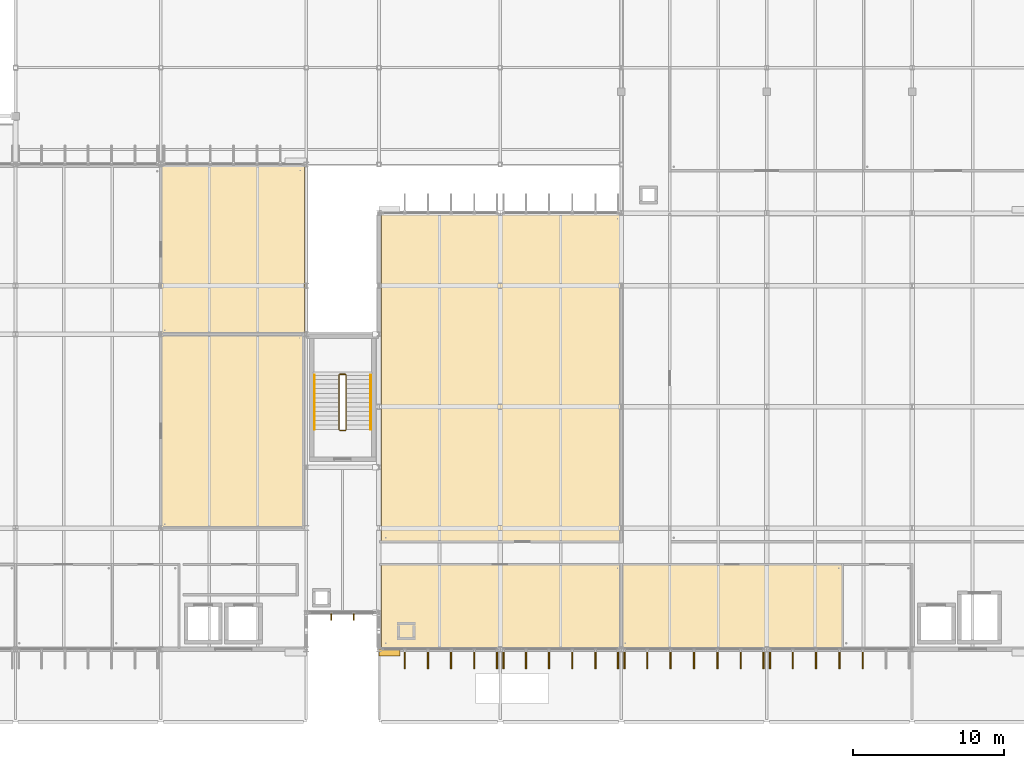
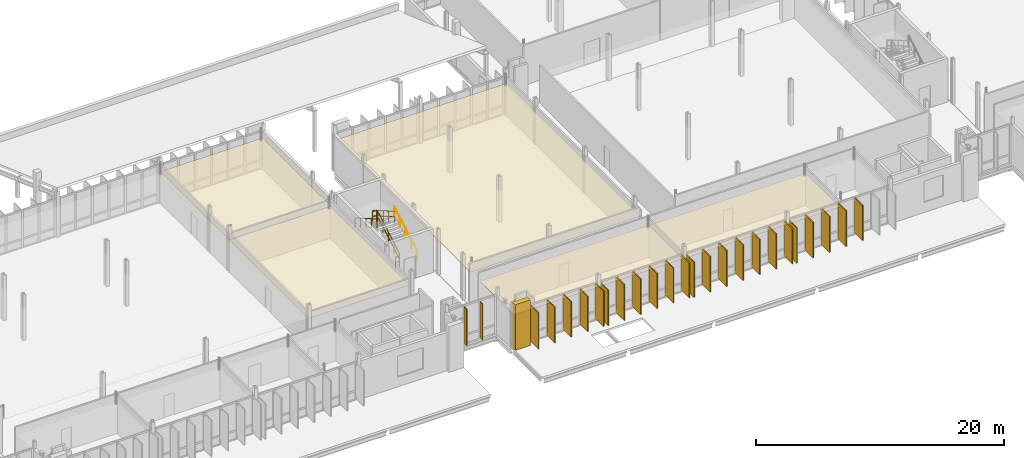
# One storey, part 102 of 107: 29 coverings, 6 railings, 2 shading devices.
"""IFC4 building model written with IfcOpenShell, lengths in metres."""

from ifc_helpers import new_model, si_unit, direction, frame, origin, origin_2d, place, context, subcontext, project, spatial, polyline, rectangle, circle, outline, extrude, material, layer, layer_set, type_object, element, save


model = new_model("IFC4")

# Units and contexts
model_context = context("Model", 3, precision=1e-05, world=origin(), true_north=direction((0.0, 1.0)))
body_context = subcontext(model_context, "Body", "Model", "MODEL_VIEW")
ifc_project = project(units=[si_unit("LENGTHUNIT", "METRE"), si_unit("AREAUNIT", "SQUARE_METRE"), si_unit("VOLUMEUNIT", "CUBIC_METRE"), si_unit("PLANEANGLEUNIT", "RADIAN"), si_unit("MASSUNIT", "GRAM", prefix="KILO")], contexts=[model_context])

# Site, building, storey
site_placement = place(None, origin())
site = spatial("IfcSite", under=ifc_project, at=site_placement, CompositionType="ELEMENT")
building_placement = place(site_placement, origin())
building = spatial("IfcBuilding", under=site, at=building_placement, Name="Dunescarp Central Library", CompositionType="ELEMENT")
storey_placement = place(building_placement, frame((0.0, 0.0, 5.10009765625)))
storey = spatial("IfcBuildingStorey", under=building, at=storey_placement, Name="L01", CompositionType="ELEMENT", Elevation=5.10009765625)

# Coverings
ifc_material_1 = material(Name="Mineral-fibre acoustic ceiling tile")
ifc_layer_1 = layer(ifc_material_1, 0.0400390625)
ifc_layer_set_1 = layer_set([ifc_layer_1], Name="Mineral-fibre acoustic ceiling tile")
covering_type_1 = type_object("IfcCoveringType", Name="ARC-COV-CEIL40", PredefinedType="CEILING", material=ifc_layer_set_1)
covering_1_placement = place(storey_placement, frame((0.0, 0.0, 3.0498046875)))
element("IfcCovering", 1, at=covering_1_placement, inside=storey, type_object=covering_type_1, Name="L01 ceiling L01 Digital Media Lending Desk", PredefinedType="CEILING", context=body_context, shape_type="SweptSolid", body=[
    extrude(outline(polyline([(67.179931640625, 12.780029296875), (76.6201171875, 12.780029296875), (76.6201171875, 25.6201171875), (67.179931640625, 25.6201171875), (67.179931640625, 12.780029296875)])), origin(), (0.0, 0.0, 1.0), 0.0400390625),
])
covering_2_placement = place(storey_placement, frame((0.0, 0.0, 3.0498046875)))
element("IfcCovering", 2, at=covering_2_placement, inside=storey, type_object=covering_type_1, Name="L01 ceiling L01 Book Sorting & Returns Store", PredefinedType="CEILING", context=body_context, shape_type="SweptSolid", body=[
    extrude(outline(polyline([(67.179931640625, 25.580078125), (76.679931640625, 25.580078125), (76.679931640625, 36.679931640625), (67.179931640625, 36.679931640625), (67.179931640625, 25.580078125)])), origin(), (0.0, 0.0, 1.0), 0.0400390625),
])
covering_3_placement = place(storey_placement, frame((0.0, 0.0, 3.0498046875)))
element("IfcCovering", 3, at=covering_3_placement, inside=storey, type_object=covering_type_1, Name="L01 ceiling L01 Seminar & Instruction Room", PredefinedType="CEILING", context=body_context, shape_type="SweptSolid", body=[
    extrude(outline(polyline([(81.780029296875, 4.919921875), (97.6201171875, 4.919921875), (97.6201171875, 10.419921875), (81.780029296875, 10.419921875), (81.780029296875, 4.919921875)])), origin(), (0.0, 0.0, 1.0), 0.0400390625),
])
covering_4_placement = place(storey_placement, frame((0.0, 0.0, 3.0498046875)))
element("IfcCovering", 4, at=covering_4_placement, inside=storey, type_object=covering_type_1, Name="L01 ceiling L01 Quiet Research Offices", PredefinedType="CEILING", context=body_context, shape_type="SweptSolid", body=[
    extrude(outline(polyline([(97.580078125, 4.919921875), (112.219970703125, 4.919921875), (112.219970703125, 10.419921875), (97.580078125, 10.419921875), (97.580078125, 4.919921875)])), origin(), (0.0, 0.0, 1.0), 0.0400390625),
])
covering_5_placement = place(storey_placement, frame((0.0, 0.0, 3.0498046875)))
element("IfcCovering", 5, at=covering_5_placement, inside=storey, type_object=covering_type_1, Name="L01 ceiling L01 High-Density Compact Book Stacks West", PredefinedType="CEILING", context=body_context, shape_type="SweptSolid", body=[
    extrude(outline(polyline([(81.780029296875, 11.8798828125), (97.6201171875, 11.8798828125), (97.6201171875, 33.47998046875), (81.780029296875, 33.47998046875), (81.780029296875, 11.8798828125)])), origin(), (0.0, 0.0, 1.0), 0.0400390625),
])
ifc_material_2 = material(Name="Glass-fibre reinforced concrete GRC", Category="concrete")
ifc_layer_2 = layer(ifc_material_2, 0.090087890625)
ifc_layer_set_2 = layer_set([ifc_layer_2], Name="Glass-fibre reinforced concrete GRC")
covering_type_2 = type_object("IfcCoveringType", Name="ARC-COV-FIN1250", PredefinedType="CLADDING", material=ifc_layer_set_2)
covering_6_placement = place(storey_placement, frame((89.385009765625, 4.137939453125, 0.1669921875), z_axis=(0.0, 0.0, 1.0), x_axis=(0.0, -1.0, 0.0)))
element("IfcCovering", 6, at=covering_6_placement, inside=storey, type_object=covering_type_2, Name="L01 parametric vertical facade fin FIN-L01-0580", PredefinedType="CLADDING", context=body_context, shape_type="SweptSolid", body=[
    extrude(rectangle(XDim=1.25, YDim=0.090087890625, at=origin_2d()), origin(), (0.0, 0.0, 1.0), 3.468017578125),
])
covering_7_placement = place(storey_placement, frame((87.89501953125, 4.137939453125, 0.180419921875), z_axis=(0.0, 0.0, 1.0), x_axis=(0.0, -1.0, 0.0)))
element("IfcCovering", 7, at=covering_7_placement, inside=storey, type_object=covering_type_2, Name="L01 parametric vertical facade fin FIN-L01-0581", PredefinedType="CLADDING", context=body_context, shape_type="SweptSolid", body=[
    extrude(rectangle(XDim=1.25, YDim=0.090087890625, at=origin_2d()), origin(), (0.0, 0.0, 1.0), 3.455078125),
])
covering_8_placement = place(storey_placement, frame((86.364990234375, 4.137939453125, 0.16357421875), z_axis=(0.0, 0.0, 1.0), x_axis=(0.0, -1.0, 0.0)))
element("IfcCovering", 8, at=covering_8_placement, inside=storey, type_object=covering_type_2, Name="L01 parametric vertical facade fin FIN-L01-0582", PredefinedType="CLADDING", context=body_context, shape_type="SweptSolid", body=[
    extrude(rectangle(XDim=1.25, YDim=0.090087890625, at=origin_2d()), origin(), (0.0, 0.0, 1.0), 3.470947265625),
])
covering_9_placement = place(storey_placement, frame((84.8349609375, 4.137939453125, 0.123046875), z_axis=(0.0, 0.0, 1.0), x_axis=(0.0, -1.0, 0.0)))
element("IfcCovering", 9, at=covering_9_placement, inside=storey, type_object=covering_type_2, Name="L01 parametric vertical facade fin FIN-L01-0583", PredefinedType="CLADDING", context=body_context, shape_type="SweptSolid", body=[
    extrude(rectangle(XDim=1.25, YDim=0.090087890625, at=origin_2d()), origin(), (0.0, 0.0, 1.0), 3.511962890625),
])
covering_10_placement = place(storey_placement, frame((83.304931640625, 4.137939453125, 0.079833984375), z_axis=(0.0, 0.0, 1.0), x_axis=(0.0, -1.0, 0.0)))
element("IfcCovering", 10, at=covering_10_placement, inside=storey, type_object=covering_type_2, Name="L01 parametric vertical facade fin FIN-L01-0584", PredefinedType="CLADDING", context=body_context, shape_type="SweptSolid", body=[
    extrude(rectangle(XDim=1.25, YDim=0.090087890625, at=origin_2d()), origin(), (0.0, 0.0, 1.0), 3.5439453125),
])
covering_11_placement = place(storey_placement, frame((97.385009765625, 4.137939453125, 0.1669921875), z_axis=(0.0, 0.0, 1.0), x_axis=(0.0, -1.0, 0.0)))
element("IfcCovering", 11, at=covering_11_placement, inside=storey, type_object=covering_type_2, Name="L01 parametric vertical facade fin FIN-L01-0585", PredefinedType="CLADDING", context=body_context, shape_type="SweptSolid", body=[
    extrude(rectangle(XDim=1.25, YDim=0.090087890625, at=origin_2d()), origin(), (0.0, 0.0, 1.0), 3.468017578125),
])
covering_12_placement = place(storey_placement, frame((95.89501953125, 4.137939453125, 0.180419921875), z_axis=(0.0, 0.0, 1.0), x_axis=(0.0, -1.0, 0.0)))
element("IfcCovering", 12, at=covering_12_placement, inside=storey, type_object=covering_type_2, Name="L01 parametric vertical facade fin FIN-L01-0586", PredefinedType="CLADDING", context=body_context, shape_type="SweptSolid", body=[
    extrude(rectangle(XDim=1.25, YDim=0.090087890625, at=origin_2d()), origin(), (0.0, 0.0, 1.0), 3.455078125),
])
covering_13_placement = place(storey_placement, frame((94.364990234375, 4.137939453125, 0.16357421875), z_axis=(0.0, 0.0, 1.0), x_axis=(0.0, -1.0, 0.0)))
element("IfcCovering", 13, at=covering_13_placement, inside=storey, type_object=covering_type_2, Name="L01 parametric vertical facade fin FIN-L01-0587", PredefinedType="CLADDING", context=body_context, shape_type="SweptSolid", body=[
    extrude(rectangle(XDim=1.25, YDim=0.090087890625, at=origin_2d()), origin(), (0.0, 0.0, 1.0), 3.470947265625),
])
covering_14_placement = place(storey_placement, frame((92.8349609375, 4.137939453125, 0.123046875), z_axis=(0.0, 0.0, 1.0), x_axis=(0.0, -1.0, 0.0)))
element("IfcCovering", 14, at=covering_14_placement, inside=storey, type_object=covering_type_2, Name="L01 parametric vertical facade fin FIN-L01-0588", PredefinedType="CLADDING", context=body_context, shape_type="SweptSolid", body=[
    extrude(rectangle(XDim=1.25, YDim=0.090087890625, at=origin_2d()), origin(), (0.0, 0.0, 1.0), 3.511962890625),
])
covering_15_placement = place(storey_placement, frame((91.304931640625, 4.137939453125, 0.079833984375), z_axis=(0.0, 0.0, 1.0), x_axis=(0.0, -1.0, 0.0)))
element("IfcCovering", 15, at=covering_15_placement, inside=storey, type_object=covering_type_2, Name="L01 parametric vertical facade fin FIN-L01-0589", PredefinedType="CLADDING", context=body_context, shape_type="SweptSolid", body=[
    extrude(rectangle(XDim=1.25, YDim=0.090087890625, at=origin_2d()), origin(), (0.0, 0.0, 1.0), 3.5439453125),
])
covering_16_placement = place(storey_placement, frame((89.81494140625, 4.137939453125, 0.080078125), z_axis=(0.0, 0.0, 1.0), x_axis=(0.0, -1.0, 0.0)))
element("IfcCovering", 16, at=covering_16_placement, inside=storey, type_object=covering_type_2, Name="L01 parametric vertical facade fin FIN-L01-0590", PredefinedType="CLADDING", context=body_context, shape_type="SweptSolid", body=[
    extrude(rectangle(XDim=1.25, YDim=0.090087890625, at=origin_2d()), origin(), (0.0, 0.0, 1.0), 3.493896484375),
])
covering_17_placement = place(storey_placement, frame((106.985107421875, 4.137939453125, 0.1669921875), z_axis=(0.0, 0.0, 1.0), x_axis=(0.0, -1.0, 0.0)))
element("IfcCovering", 17, at=covering_17_placement, inside=storey, type_object=covering_type_2, Name="L01 parametric vertical facade fin FIN-L01-0591", PredefinedType="CLADDING", context=body_context, shape_type="SweptSolid", body=[
    extrude(rectangle(XDim=1.25, YDim=0.090087890625, at=origin_2d()), origin(), (0.0, 0.0, 1.0), 3.468017578125),
])
covering_18_placement = place(storey_placement, frame((105.48291015625, 4.137939453125, 0.180419921875), z_axis=(0.0, 0.0, 1.0), x_axis=(0.0, -1.0, 0.0)))
element("IfcCovering", 18, at=covering_18_placement, inside=storey, type_object=covering_type_2, Name="L01 parametric vertical facade fin FIN-L01-0592", PredefinedType="CLADDING", context=body_context, shape_type="SweptSolid", body=[
    extrude(rectangle(XDim=1.25, YDim=0.090087890625, at=origin_2d()), origin(), (0.0, 0.0, 1.0), 3.455078125),
])
covering_19_placement = place(storey_placement, frame((103.94189453125, 4.137939453125, 0.16357421875), z_axis=(0.0, 0.0, 1.0), x_axis=(0.0, -1.0, 0.0)))
element("IfcCovering", 19, at=covering_19_placement, inside=storey, type_object=covering_type_2, Name="L01 parametric vertical facade fin FIN-L01-0593", PredefinedType="CLADDING", context=body_context, shape_type="SweptSolid", body=[
    extrude(rectangle(XDim=1.25, YDim=0.090087890625, at=origin_2d()), origin(), (0.0, 0.0, 1.0), 3.470947265625),
])
covering_20_placement = place(storey_placement, frame((102.39990234375, 4.137939453125, 0.123046875), z_axis=(0.0, 0.0, 1.0), x_axis=(0.0, -1.0, 0.0)))
element("IfcCovering", 20, at=covering_20_placement, inside=storey, type_object=covering_type_2, Name="L01 parametric vertical facade fin FIN-L01-0594", PredefinedType="CLADDING", context=body_context, shape_type="SweptSolid", body=[
    extrude(rectangle(XDim=1.25, YDim=0.090087890625, at=origin_2d()), origin(), (0.0, 0.0, 1.0), 3.511962890625),
])
covering_21_placement = place(storey_placement, frame((100.85791015625, 4.137939453125, 0.079833984375), z_axis=(0.0, 0.0, 1.0), x_axis=(0.0, -1.0, 0.0)))
element("IfcCovering", 21, at=covering_21_placement, inside=storey, type_object=covering_type_2, Name="L01 parametric vertical facade fin FIN-L01-0595", PredefinedType="CLADDING", context=body_context, shape_type="SweptSolid", body=[
    extrude(rectangle(XDim=1.25, YDim=0.090087890625, at=origin_2d()), origin(), (0.0, 0.0, 1.0), 3.5439453125),
])
covering_22_placement = place(storey_placement, frame((99.31689453125, 4.137939453125, 0.080078125), z_axis=(0.0, 0.0, 1.0), x_axis=(0.0, -1.0, 0.0)))
element("IfcCovering", 22, at=covering_22_placement, inside=storey, type_object=covering_type_2, Name="L01 parametric vertical facade fin FIN-L01-0596", PredefinedType="CLADDING", context=body_context, shape_type="SweptSolid", body=[
    extrude(rectangle(XDim=1.25, YDim=0.090087890625, at=origin_2d()), origin(), (0.0, 0.0, 1.0), 3.493896484375),
])
covering_23_placement = place(storey_placement, frame((97.81494140625, 4.137939453125, 0.079345703125), z_axis=(0.0, 0.0, 1.0), x_axis=(0.0, -1.0, 0.0)))
element("IfcCovering", 23, at=covering_23_placement, inside=storey, type_object=covering_type_2, Name="L01 parametric vertical facade fin FIN-L01-0597", PredefinedType="CLADDING", context=body_context, shape_type="SweptSolid", body=[
    extrude(rectangle(XDim=1.25, YDim=0.090087890625, at=origin_2d()), origin(), (0.0, 0.0, 1.0), 3.4609375),
])
covering_24_placement = place(storey_placement, frame((113.5419921875, 4.137939453125, 0.16357421875), z_axis=(0.0, 0.0, 1.0), x_axis=(0.0, -1.0, 0.0)))
element("IfcCovering", 24, at=covering_24_placement, inside=storey, type_object=covering_type_2, Name="L01 parametric vertical facade fin FIN-L01-0600", PredefinedType="CLADDING", context=body_context, shape_type="SweptSolid", body=[
    extrude(rectangle(XDim=1.25, YDim=0.090087890625, at=origin_2d()), origin(), (0.0, 0.0, 1.0), 3.470947265625),
])
covering_25_placement = place(storey_placement, frame((112.0, 4.137939453125, 0.123046875), z_axis=(0.0, 0.0, 1.0), x_axis=(0.0, -1.0, 0.0)))
element("IfcCovering", 25, at=covering_25_placement, inside=storey, type_object=covering_type_2, Name="L01 parametric vertical facade fin FIN-L01-0601", PredefinedType="CLADDING", context=body_context, shape_type="SweptSolid", body=[
    extrude(rectangle(XDim=1.25, YDim=0.090087890625, at=origin_2d()), origin(), (0.0, 0.0, 1.0), 3.511962890625),
])
covering_26_placement = place(storey_placement, frame((110.4580078125, 4.137939453125, 0.079833984375), z_axis=(0.0, 0.0, 1.0), x_axis=(0.0, -1.0, 0.0)))
element("IfcCovering", 26, at=covering_26_placement, inside=storey, type_object=covering_type_2, Name="L01 parametric vertical facade fin FIN-L01-0602", PredefinedType="CLADDING", context=body_context, shape_type="SweptSolid", body=[
    extrude(rectangle(XDim=1.25, YDim=0.090087890625, at=origin_2d()), origin(), (0.0, 0.0, 1.0), 3.5439453125),
])
covering_27_placement = place(storey_placement, frame((108.9169921875, 4.137939453125, 0.080078125), z_axis=(0.0, 0.0, 1.0), x_axis=(0.0, -1.0, 0.0)))
element("IfcCovering", 27, at=covering_27_placement, inside=storey, type_object=covering_type_2, Name="L01 parametric vertical facade fin FIN-L01-0603", PredefinedType="CLADDING", context=body_context, shape_type="SweptSolid", body=[
    extrude(rectangle(XDim=1.25, YDim=0.090087890625, at=origin_2d()), origin(), (0.0, 0.0, 1.0), 3.493896484375),
])
covering_28_placement = place(storey_placement, frame((107.4150390625, 4.137939453125, 0.079345703125), z_axis=(0.0, 0.0, 1.0), x_axis=(0.0, -1.0, 0.0)))
element("IfcCovering", 28, at=covering_28_placement, inside=storey, type_object=covering_type_2, Name="L01 parametric vertical facade fin FIN-L01-0604", PredefinedType="CLADDING", context=body_context, shape_type="SweptSolid", body=[
    extrude(rectangle(XDim=1.25, YDim=0.090087890625, at=origin_2d()), origin(), (0.0, 0.0, 1.0), 3.4609375),
])
ifc_layer_3 = layer(ifc_material_2, 0.449951171875)
ifc_layer_set_3 = layer_set([ifc_layer_3], Name="Glass-fibre reinforced concrete GRC")
covering_type_3 = type_object("IfcCoveringType", Name="ARC-COV-PORTAL", PredefinedType="CLADDING", material=ifc_layer_set_3)
covering_29_placement = place(storey_placement, frame((82.300048828125, 4.580078125, 0.0), z_axis=(0.0, 0.0, 1.0), x_axis=(1.0, 0.0, 0.0)))
element("IfcCovering", 29, at=covering_29_placement, inside=storey, type_object=covering_type_3, Name="V3 sculpted GRC portal pier PRT-BAND-V3-031", PredefinedType="CLADDING", context=body_context, shape_type="SweptSolid", body=[
    extrude(rectangle(XDim=1.39990234375, YDim=0.449951171875, at=origin_2d()), origin(), (0.0, 0.0, 1.0), 4.5),
])

# Railings
ifc_material_3 = material(Name="Stainless steel Grade 316L", Category="steel")
railing_type_1 = type_object("IfcRailingType", Name="ARC-RL-GUARD", PredefinedType="GUARDRAIL", material=ifc_material_3)
railing_1_placement = place(storey_placement, frame((79.429931640625, 19.300048828125, 0.173095703125)))
element("IfcRailing", 30, at=railing_1_placement, inside=storey, type_object=railing_type_1, Name="L01 ST-3 stair guard 1", PredefinedType="GUARDRAIL", context=body_context, shape_type="SweptSolid", body=[
    extrude(circle(Radius=0.02392578125, at=origin_2d()), frame((0.0, 0.0, 1.076171875), z_axis=(0.0, 0.866178740119, 0.499734319579), x_axis=(-1.0, 0.0, 0.0)), (0.0, 0.0, 1.0), 4.156005859375),
    extrude(circle(Radius=0.02392578125, at=origin_2d()), frame((0.0, 0.0, 0.550048828125), z_axis=(0.0, 0.866178740119, 0.499734319579), x_axis=(-1.0, 0.0, 0.0)), (0.0, 0.0, 1.0), 4.156005859375),
    extrude(circle(Radius=0.02099609375, at=origin_2d()), origin(), (0.0, 0.0, 1.0), 1.052001953125),
    extrude(circle(Radius=0.02099609375, at=origin_2d()), frame((0.0, 0.89990234375, 0.519287109375)), (0.0, 0.0, 1.0), 1.052001953125),
    extrude(circle(Radius=0.02099609375, at=origin_2d()), frame((0.0, 1.7998046875, 1.03857421875)), (0.0, 0.0, 1.0), 1.052001953125),
    extrude(circle(Radius=0.02099609375, at=origin_2d()), frame((0.0, 2.699951171875, 1.5576171875)), (0.0, 0.0, 1.0), 1.052001953125),
    extrude(circle(Radius=0.02099609375, at=origin_2d()), frame((0.0, 3.599853515625, 2.076904296875)), (0.0, 0.0, 1.0), 1.052001953125),
])
railing_2_placement = place(storey_placement, frame((79.3798828125, 22.949951171875, 2.25)))
element("IfcRailing", 31, at=railing_2_placement, inside=storey, type_object=railing_type_1, Name="L01 ST-3 stair guard 2", PredefinedType="GUARDRAIL", context=body_context, shape_type="SweptSolid", body=[
    extrude(circle(Radius=0.02392578125, at=origin_2d()), frame((0.0, 0.0, 1.076171875), z_axis=(-1.0, 0.0, 0.0), x_axis=(0.0, -1.0, 0.0)), (0.0, 0.0, 1.0), 0.35986328125),
    extrude(circle(Radius=0.02392578125, at=origin_2d()), frame((0.0, 0.0, 0.550048828125), z_axis=(-1.0, 0.0, 0.0), x_axis=(0.0, -1.0, 0.0)), (0.0, 0.0, 1.0), 0.35986328125),
    extrude(circle(Radius=0.02099609375, at=origin_2d()), origin(), (0.0, 0.0, 1.0), 1.052001953125),
    extrude(circle(Radius=0.02099609375, at=origin_2d()), frame((-0.35986328125, 0.0, 0.0)), (0.0, 0.0, 1.0), 1.052001953125),
])
railing_3_placement = place(storey_placement, frame((78.969970703125, 22.89990234375, 2.423095703125)))
element("IfcRailing", 32, at=railing_3_placement, inside=storey, type_object=railing_type_1, Name="L01 ST-3 stair guard 3", PredefinedType="GUARDRAIL", context=body_context, shape_type="SweptSolid", body=[
    extrude(circle(Radius=0.02392578125, at=origin_2d()), frame((0.0, 0.0, 1.076171875), z_axis=(0.0, -0.866178740119, 0.499734319579), x_axis=(1.0, 0.0, 0.0)), (0.0, 0.0, 1.0), 4.156005859375),
    extrude(circle(Radius=0.02392578125, at=origin_2d()), frame((0.0, 0.0, 0.550048828125), z_axis=(0.0, -0.866178740119, 0.499734319579), x_axis=(1.0, 0.0, 0.0)), (0.0, 0.0, 1.0), 4.156005859375),
    extrude(circle(Radius=0.02099609375, at=origin_2d()), origin(), (0.0, 0.0, 1.0), 1.052001953125),
    extrude(circle(Radius=0.02099609375, at=origin_2d()), frame((0.0, -0.89990234375, 0.519287109375)), (0.0, 0.0, 1.0), 1.052001953125),
    extrude(circle(Radius=0.02099609375, at=origin_2d()), frame((0.0, -1.7998046875, 1.03857421875)), (0.0, 0.0, 1.0), 1.052001953125),
    extrude(circle(Radius=0.02099609375, at=origin_2d()), frame((0.0, -2.699951171875, 1.5576171875)), (0.0, 0.0, 1.0), 1.052001953125),
    extrude(circle(Radius=0.02099609375, at=origin_2d()), frame((0.0, -3.599853515625, 2.076904296875)), (0.0, 0.0, 1.0), 1.052001953125),
])
railing_4_placement = place(storey_placement, frame((79.3798828125, 19.25, 0.0)))
element("IfcRailing", 33, at=railing_4_placement, inside=storey, type_object=railing_type_1, Name="L01 ST-3 stair guard 4", PredefinedType="GUARDRAIL", context=body_context, shape_type="SweptSolid", body=[
    extrude(circle(Radius=0.02392578125, at=origin_2d()), frame((0.0, 0.0, 1.076171875), z_axis=(-1.0, 0.0, 0.0), x_axis=(0.0, -1.0, 0.0)), (0.0, 0.0, 1.0), 0.35986328125),
    extrude(circle(Radius=0.02392578125, at=origin_2d()), frame((0.0, 0.0, 0.550048828125), z_axis=(-1.0, 0.0, 0.0), x_axis=(0.0, -1.0, 0.0)), (0.0, 0.0, 1.0), 0.35986328125),
    extrude(circle(Radius=0.02099609375, at=origin_2d()), origin(), (0.0, 0.0, 1.0), 1.052001953125),
    extrude(circle(Radius=0.02099609375, at=origin_2d()), frame((-0.35986328125, 0.0, 0.0)), (0.0, 0.0, 1.0), 1.052001953125),
])
railing_type_2 = type_object("IfcRailingType", Name="ARC-RL-HAND", PredefinedType="HANDRAIL", material=ifc_material_3)
railing_5_placement = place(storey_placement, frame((81.050048828125, 19.300048828125, 0.173095703125)))
element("IfcRailing", 34, at=railing_5_placement, inside=storey, type_object=railing_type_2, Name="L01 ST-3 stair handrail 1", PredefinedType="HANDRAIL", context=body_context, shape_type="SweptSolid", body=[
    extrude(circle(Radius=0.02392578125, at=origin_2d()), frame((0.0, 0.0, 0.8857421875), z_axis=(0.0, 0.866178740119, 0.499734319579), x_axis=(-1.0, 0.0, 0.0)), (0.0, 0.0, 1.0), 4.156005859375),
    extrude(circle(Radius=0.02099609375, at=origin_2d()), origin(), (0.0, 0.0, 1.0), 0.86181640625),
    extrude(circle(Radius=0.02099609375, at=origin_2d()), frame((0.0, 0.89990234375, 0.519287109375)), (0.0, 0.0, 1.0), 0.86181640625),
    extrude(circle(Radius=0.02099609375, at=origin_2d()), frame((0.0, 1.7998046875, 1.03857421875)), (0.0, 0.0, 1.0), 0.86181640625),
    extrude(circle(Radius=0.02099609375, at=origin_2d()), frame((0.0, 2.699951171875, 1.5576171875)), (0.0, 0.0, 1.0), 0.86181640625),
    extrude(circle(Radius=0.02099609375, at=origin_2d()), frame((0.0, 3.599853515625, 2.076904296875)), (0.0, 0.0, 1.0), 0.86181640625),
])
railing_6_placement = place(storey_placement, frame((77.35009765625, 22.89990234375, 2.423095703125)))
element("IfcRailing", 35, at=railing_6_placement, inside=storey, type_object=railing_type_2, Name="L01 ST-3 stair handrail 2", PredefinedType="HANDRAIL", context=body_context, shape_type="SweptSolid", body=[
    extrude(circle(Radius=0.02392578125, at=origin_2d()), frame((0.0, 0.0, 0.8857421875), z_axis=(0.0, -0.866178740119, 0.499734319579), x_axis=(1.0, 0.0, 0.0)), (0.0, 0.0, 1.0), 4.156005859375),
    extrude(circle(Radius=0.02099609375, at=origin_2d()), origin(), (0.0, 0.0, 1.0), 0.86181640625),
    extrude(circle(Radius=0.02099609375, at=origin_2d()), frame((0.0, -0.89990234375, 0.519287109375)), (0.0, 0.0, 1.0), 0.86181640625),
    extrude(circle(Radius=0.02099609375, at=origin_2d()), frame((0.0, -1.7998046875, 1.03857421875)), (0.0, 0.0, 1.0), 0.86181640625),
    extrude(circle(Radius=0.02099609375, at=origin_2d()), frame((0.0, -2.699951171875, 1.5576171875)), (0.0, 0.0, 1.0), 0.86181640625),
    extrude(circle(Radius=0.02099609375, at=origin_2d()), frame((0.0, -3.599853515625, 2.076904296875)), (0.0, 0.0, 1.0), 0.86181640625),
])

# Shading devices
ifc_material_4 = material(Name="Marine-grade anodised aluminium 6063-T6", Category="aluminium")
ifc_layer_4 = layer(ifc_material_4, 0.06005859375)
ifc_layer_set_4 = layer_set([ifc_layer_4], Name="Marine-grade anodised aluminium 6063-T6")
shading_device_type = type_object("IfcShadingDeviceType", Name="ARC-SHD-FIN", PredefinedType="USERDEFINED", material=ifc_layer_set_4)
for number, where, z_axis, x_axis, name in (
    (36, (79.94189453125, 6.93896484375, 0.1494140625), (0.0, 0.0, 1.0), (0.0, -1.0, 0.0), "L01 link sunshade fin SHDF-L01-1104"),
    (37, (78.4580078125, 6.93896484375, 0.1494140625), (0.0, 0.0, 1.0), (0.0, -1.0, 0.0), "L01 link sunshade fin SHDF-L01-1105"),
):
    element("IfcShadingDevice", number, at=place(storey_placement, frame(where, z_axis=z_axis, x_axis=x_axis)), inside=storey, type_object=shading_device_type, Name=name, ObjectType="FIN", PredefinedType="USERDEFINED", context=body_context, shape_type="SweptSolid", body=[
        extrude(rectangle(XDim=0.449951171875, YDim=0.06005859375, at=origin_2d()), origin(), (0.0, 0.0, 1.0), 3.574951171875),
    ])

save(model, "model.ifc")
